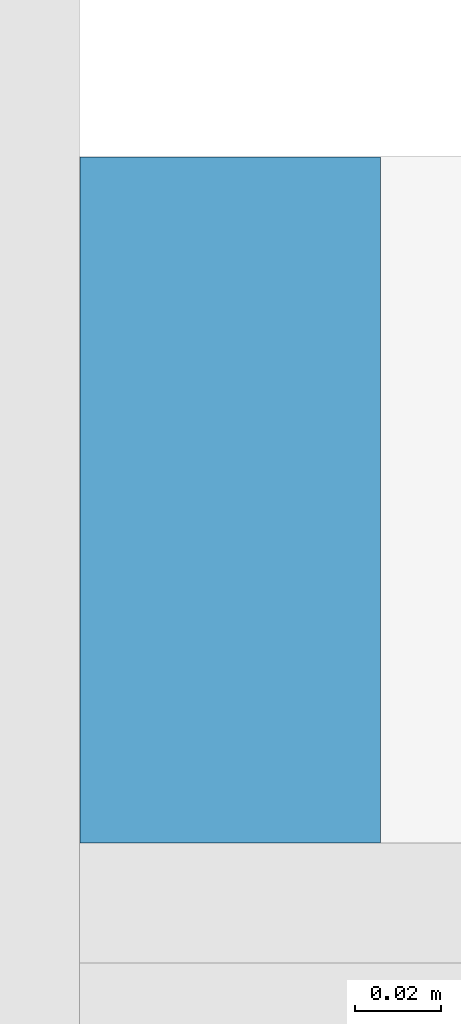
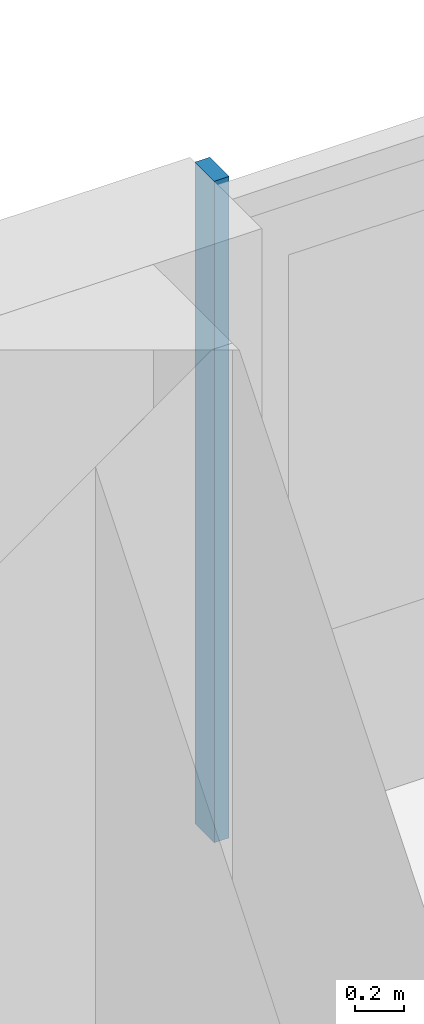
# One storey, part 10 of 30: 1 member, 1 element without a shape of its own.
"""IFC4 building model written with IfcOpenShell, lengths in metres."""

from ifc_helpers import new_model, si_unit, direction, frame, origin, origin_2d, place, context, subcontext, project, spatial, rectangle, extrude, material, material_profile, profile_set, type_object, element, aggregate, save


model = new_model("IFC4")

# Units and contexts
model_context = context("Model", 3, precision=1e-05, world=origin(), true_north=direction((0.0, 1.0)))
body_context = subcontext(model_context, "Body", "Model", "MODEL_VIEW")
ifc_project = project(units=[si_unit("LENGTHUNIT", "METRE"), si_unit("AREAUNIT", "SQUARE_METRE"), si_unit("VOLUMEUNIT", "CUBIC_METRE"), si_unit("PLANEANGLEUNIT", "RADIAN"), si_unit("MASSUNIT", "GRAM", prefix="KILO")], contexts=[model_context])

# Site, building, storey
site_placement = place(None, origin())
site = spatial("IfcSite", under=ifc_project, at=site_placement, CompositionType="ELEMENT")
building_placement = place(site_placement, origin())
building = spatial("IfcBuilding", under=site, at=building_placement, Name="Saffron Gate Tower", CompositionType="ELEMENT")
storey_placement = place(building_placement, frame((0.0, 0.0, 223.5)))
storey = spatial("IfcBuildingStorey", under=building, at=storey_placement, Name="L54", CompositionType="ELEMENT", Elevation=223.5)

# Curtain wall, member
ifc_material = material(Name="Aluminium, bronze anodised", Category="aluminium")
curtain_wall_type = type_object("IfcCurtainWallType", Name="CWS3 curtain wall rear facade", PredefinedType="NOTDEFINED", material=ifc_material)
curtain_wall_placement = place(storey_placement, origin())
curtain_wall = element("IfcCurtainWall", 1, at=curtain_wall_placement, inside=storey, type_object=curtain_wall_type, Name="CWS3 run 7", PredefinedType="NOTDEFINED")
ifc_material_profile = material_profile(ifc_material, rectangle(XDim=0.159912109375, YDim=0.070068359375, at=origin_2d()))
ifc_profile_set = profile_set([ifc_material_profile], Name="Aluminium, bronze anodised")
member_type = type_object("IfcMemberType", Name="CWS3 mullion 70x160", PredefinedType="MULLION", material=ifc_profile_set)
member_placement = place(storey_placement, frame((108.60009765625, 75.52001953125, 0.0), z_axis=(0.0, 0.0, 1.0), x_axis=(0.0, -1.0, 0.0)))
member = element("IfcMember", 2, at=member_placement, type_object=member_type, Name="CWS3 mullion 3", PredefinedType="MULLION", context=body_context, shape_type="SweptSolid", body=[
    extrude(rectangle(XDim=0.159912109375, YDim=0.070068359375, at=origin_2d()), origin(), (0.0, 0.0, 1.0), 3.320068359375),
])
aggregate(curtain_wall, [member])

save(model, "model.ifc")
